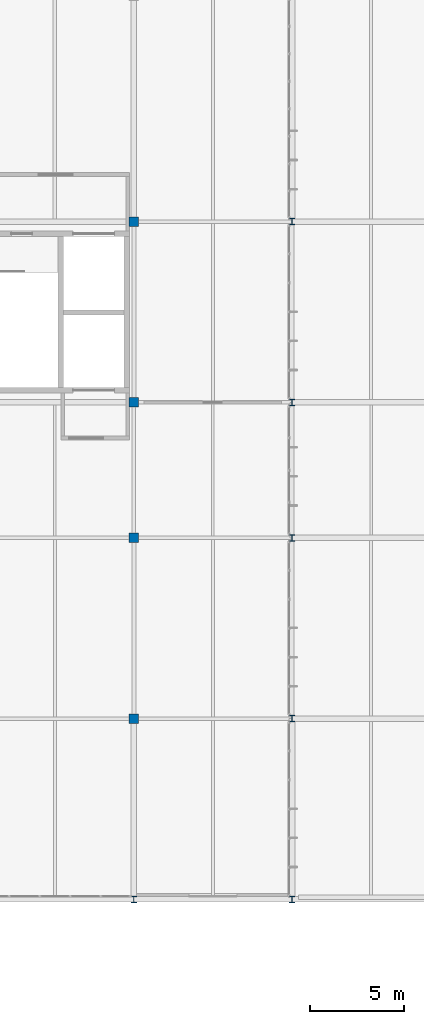
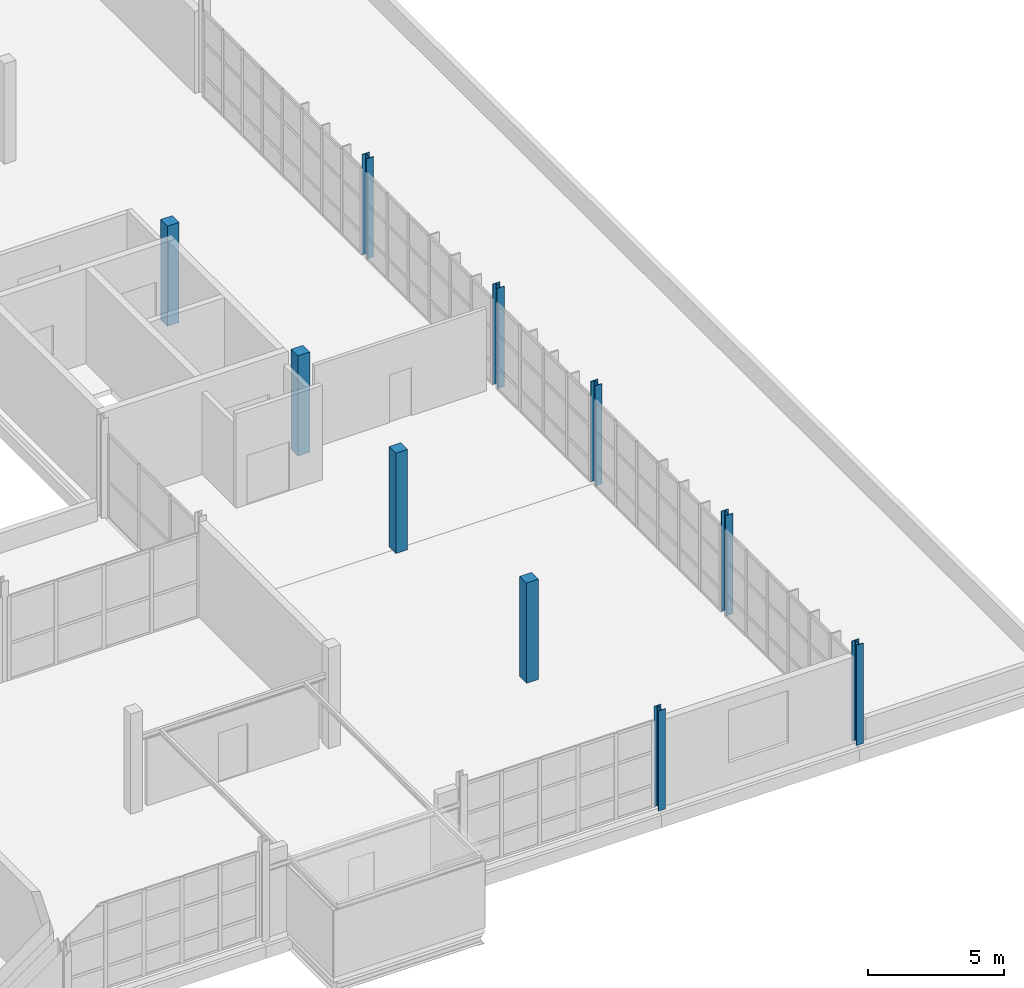
# One storey, part 9 of 103: 10 columns.
"""IFC4 building model written with IfcOpenShell, lengths in metres."""

from ifc_helpers import new_model, si_unit, direction, frame, origin, origin_2d, place, context, subcontext, project, spatial, rectangle, i_section, extrude, material, material_profile, profile_set, type_object, element, save


model = new_model("IFC4")

# Units and contexts
model_context = context("Model", 3, precision=1e-05, world=origin(), true_north=direction((0.0, 1.0)))
body_context = subcontext(model_context, "Body", "Model", "MODEL_VIEW")
ifc_project = project(units=[si_unit("LENGTHUNIT", "METRE"), si_unit("AREAUNIT", "SQUARE_METRE"), si_unit("VOLUMEUNIT", "CUBIC_METRE"), si_unit("PLANEANGLEUNIT", "RADIAN"), si_unit("MASSUNIT", "GRAM", prefix="KILO")], contexts=[model_context])

# Site, building, storey
site_placement = place(None, origin())
site = spatial("IfcSite", under=ifc_project, at=site_placement, CompositionType="ELEMENT")
building_placement = place(site_placement, origin())
building = spatial("IfcBuilding", under=site, at=building_placement, Name="Veltarok Museum of Natural Sciences", CompositionType="ELEMENT")
storey_placement = place(building_placement, frame((0.0, 0.0, 21.89990234375)))
storey = spatial("IfcBuildingStorey", under=building, at=storey_placement, Name="L04", CompositionType="ELEMENT", Elevation=21.89990234375)

# Columns
ifc_material_1 = material(Name="Steel S355J2", Category="steel")
ifc_material_profile_1 = material_profile(ifc_material_1, i_section(OverallWidth=0.300048828125, OverallDepth=0.340087890625, WebThickness=0.011962890625, FlangeThickness=0.021484375, FilletRadius=0.027099609375, at=origin_2d()), Name="HEB 340")
ifc_profile_set_1 = profile_set([ifc_material_profile_1], Name="Steel S355J2")
column_type_1 = type_object("IfcColumnType", Name="Perimeter Spine Column HEB 340", PredefinedType="COLUMN", material=ifc_profile_set_1)
for number, where, z_axis, x_axis, name in (
    (1, (140.800048828125, 0.0, 0.0), (0.0, 0.0, 1.0), (1.0, 0.0, 0.0), "Column COL-EXT05 L04 17/A"),
    (2, (149.199951171875, 0.0, 0.0), (0.0, 0.0, 1.0), (1.0, 0.0, 0.0), "Column COL-EXT05 L04 18/A"),
    (3, (149.199951171875, 9.60009765625, 0.0), (0.0, 0.0, 1.0), (1.0, 0.0, 0.0), "Column COL-EXT05 L04 18/B"),
    (4, (149.199951171875, 19.199951171875, 0.0), (0.0, 0.0, 1.0), (1.0, 0.0, 0.0), "Column COL-EXT05 L04 18/C"),
    (5, (149.199951171875, 26.39990234375, 0.0), (0.0, 0.0, 1.0), (1.0, 0.0, 0.0), "Column COL-EXT05 L04 18/D"),
    (6, (149.199951171875, 36.0, 0.0), (0.0, 0.0, 1.0), (1.0, 0.0, 0.0), "Column COL-EXT05 L04 18/E"),
):
    element("IfcColumn", number, at=place(storey_placement, frame(where, z_axis=z_axis, x_axis=x_axis)), inside=storey, type_object=column_type_1, Name=name, PredefinedType="COLUMN", context=body_context, shape_type="SweptSolid", body=[
        extrude(i_section(OverallWidth=0.300048828125, OverallDepth=0.340087890625, WebThickness=0.011962890625, FlangeThickness=0.021484375, FilletRadius=0.027099609375, at=origin_2d()), origin(), (0.0, 0.0, 1.0), 4.5),
    ])
ifc_material_2 = material(Name="Concrete C40/50", Category="concrete")
ifc_material_profile_2 = material_profile(ifc_material_2, rectangle(XDim=0.5, YDim=0.5, at=origin_2d()), Name="RC 500x500")
ifc_profile_set_2 = profile_set([ifc_material_profile_2], Name="Concrete C40/50")
column_type_2 = type_object("IfcColumnType", Name="Upper Lab Column RC 500x500", PredefinedType="COLUMN", material=ifc_profile_set_2)
for number, where, z_axis, x_axis, name in (
    (7, (140.800048828125, 9.60009765625, 0.0), (0.0, 0.0, 1.0), (1.0, 0.0, 0.0), "Column COL-RC03 L04 17/B"),
    (8, (140.800048828125, 19.199951171875, 0.0), (0.0, 0.0, 1.0), (1.0, 0.0, 0.0), "Column COL-RC03 L04 17/C"),
    (9, (140.800048828125, 26.39990234375, 0.0), (0.0, 0.0, 1.0), (1.0, 0.0, 0.0), "Column COL-RC03 L04 17/D"),
    (10, (140.800048828125, 36.0, 0.0), (0.0, 0.0, 1.0), (1.0, 0.0, 0.0), "Column COL-RC03 L04 17/E"),
):
    element("IfcColumn", number, at=place(storey_placement, frame(where, z_axis=z_axis, x_axis=x_axis)), inside=storey, type_object=column_type_2, Name=name, PredefinedType="COLUMN", context=body_context, shape_type="SweptSolid", body=[
        extrude(rectangle(XDim=0.5, YDim=0.5, at=origin_2d()), origin(), (0.0, 0.0, 1.0), 4.5),
    ])

save(model, "model.ifc")
